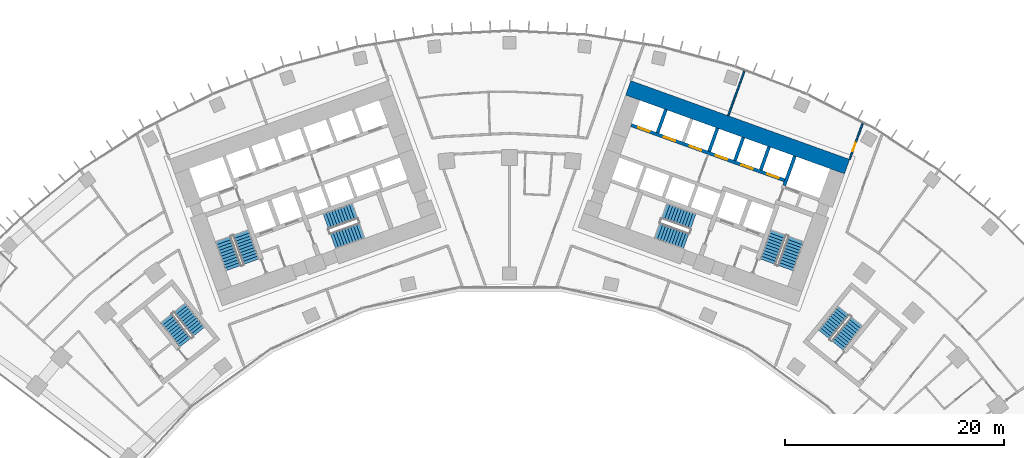
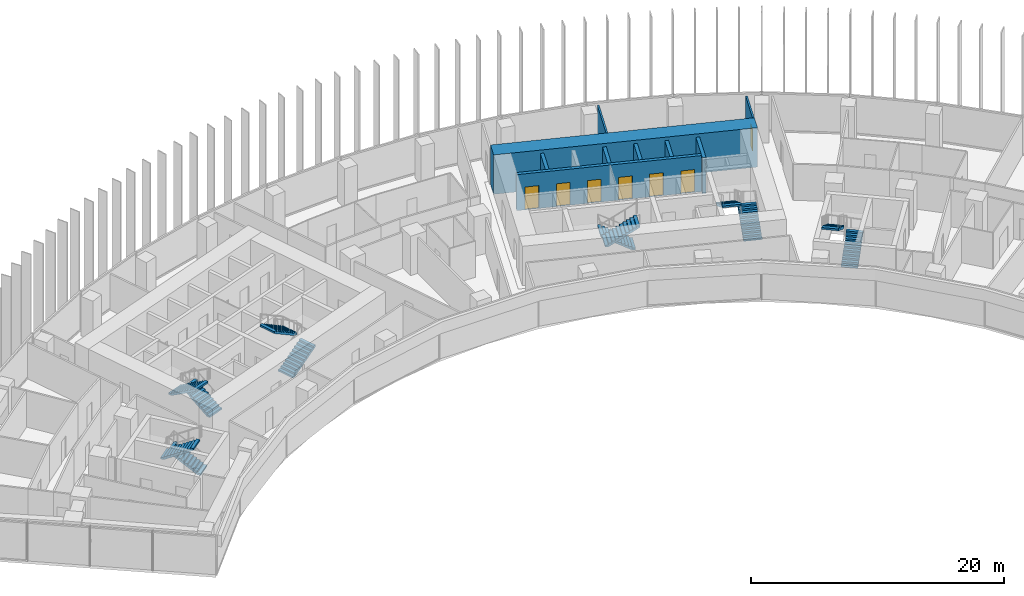
# One storey, part 21 of 23: 12 stair flights, 9 walls, 7 doors, 7 openings, 6 elements without a shape of their own.
"""IFC4 building model written with IfcOpenShell, lengths in metres."""

from ifc_helpers import new_model, si_unit, direction, frame, frame_2d, origin, place, context, subcontext, project, spatial, polyline, rectangle, outline, extrude, material, layer, layer_set, type_object, element, fill, aggregate, save


model = new_model("IFC4")

# Units and contexts
model_context = context("Model", 3, precision=1e-05, world=origin(), true_north=direction((0.0, 1.0)))
body_context = subcontext(model_context, "Body", "Model", "MODEL_VIEW")
ifc_project = project(units=[si_unit("LENGTHUNIT", "METRE"), si_unit("AREAUNIT", "SQUARE_METRE"), si_unit("VOLUMEUNIT", "CUBIC_METRE"), si_unit("PLANEANGLEUNIT", "RADIAN"), si_unit("MASSUNIT", "GRAM", prefix="KILO")], contexts=[model_context])

# Site, building, storey
site_placement = place(None, origin())
site = spatial("IfcSite", under=ifc_project, at=site_placement, CompositionType="ELEMENT")
building_placement = place(site_placement, origin())
building = spatial("IfcBuilding", under=site, at=building_placement, Name="Stone Belt Terrace Tower", CompositionType="ELEMENT")
storey_placement = place(building_placement, frame((0.0, 0.0, 98.39990234375)))
storey = spatial("IfcBuildingStorey", under=building, at=storey_placement, Name="L23", CompositionType="ELEMENT", Elevation=98.39990234375)

# Walls
ifc_material_1 = material(Name="Concrete B80", Category="concrete")
ifc_layer_1 = layer(ifc_material_1, 1.39990234375)
ifc_layer_set_1 = layer_set([ifc_layer_1], Name="Core wall 1400 B80")
wall_type_1 = type_object("IfcWallType", Name="Core wall 1400 B80", PredefinedType="SHEAR", material=ifc_layer_set_1)
wall_1_placement = place(storey_placement, frame((10.81787109375, 61.362060546875, 0.0), z_axis=(0.0, 0.0, 1.0), x_axis=(0.940919704758, -0.338629752382, 0.0)))
element("IfcWall", 1, at=wall_1_placement, inside=storey, type_object=wall_type_1, Name="Core B wall convex L23", PredefinedType="SHEAR", context=body_context, shape_type="SweptSolid", body=[
    extrude(rectangle(XDim=21.199951171875, YDim=1.39990234375, at=frame_2d((10.60009765625, 0.0))), origin(), (0.0, 0.0, 1.0), 3.800048828125),
])
ifc_layer_2 = layer(ifc_material_1, 0.300048828125)
ifc_layer_set_2 = layer_set([ifc_layer_2], Name="Lift shaft wall 300")
wall_type_2 = type_object("IfcWallType", Name="Lift shaft wall 300", PredefinedType="SHEAR", material=ifc_layer_set_2)
wall_2_placement = place(storey_placement, frame((25.046875, 52.46826171875, 0.0), z_axis=(0.0, 0.0, 1.0), x_axis=(0.338549588058, 0.940948551423, 0.0)))
element("IfcWall", 2, at=wall_2_placement, inside=storey, type_object=wall_type_2, Name="Core B wall", PredefinedType="SHEAR", context=body_context, shape_type="SweptSolid", body=[
    extrude(rectangle(XDim=2.849853515625, YDim=0.300048828125, at=frame_2d((1.4248046875, 0.0))), origin(), (0.0, 0.0, 1.0), 3.47998046875),
])

# Wall, openings, doors
wall_3_placement = place(storey_placement, frame((25.05810546875, 52.9423828125, 0.0), z_axis=(0.0, 0.0, 1.0), x_axis=(-0.940918215764, 0.338633889685, 0.0)))
wall_3 = element("IfcWall", 3, at=wall_3_placement, inside=storey, type_object=wall_type_2, Name="Core B wall", PredefinedType="SHEAR", context=body_context, shape_type="SweptSolid", body=[
    extrude(rectangle(XDim=14.850341796875, YDim=0.300048828125, at=frame_2d((7.42529296875, 0.0))), origin(), (0.0, 0.0, 1.0), 3.47998046875),
])
opening_1_placement = place(wall_3_placement, frame((0.570068359375, 0.0, 0.0)))
opening_1 = element("IfcOpeningElement", 4, at=opening_1_placement, cuts=wall_3, Name="Opening L23-LD10", PredefinedType="OPENING", context=body_context, shape_type="SweptSolid", body=[
    extrude(rectangle(XDim=1.10009765625, YDim=2.199951171875, at=frame_2d((0.550048828125, 1.10009765625))), frame((0.0, 0.159912109375, 0.0), z_axis=(0.0, -1.0, 0.0), x_axis=(1.0, 0.0, 0.0)), (0.0, 0.0, 1.0), 0.320068359375),
])
opening_2_placement = place(wall_3_placement, frame((3.070068359375, 0.0, 0.0)))
opening_2 = element("IfcOpeningElement", 5, at=opening_2_placement, cuts=wall_3, Name="Opening L23-LD11", PredefinedType="OPENING", context=body_context, shape_type="SweptSolid", body=[
    extrude(rectangle(XDim=1.10009765625, YDim=2.199951171875, at=frame_2d((0.550048828125, 1.10009765625))), frame((0.0, 0.159912109375, 0.0), z_axis=(0.0, -1.0, 0.0), x_axis=(1.0, 0.0, 0.0)), (0.0, 0.0, 1.0), 0.320068359375),
])
opening_3_placement = place(wall_3_placement, frame((5.570068359375, 0.0, 0.0)))
opening_3 = element("IfcOpeningElement", 6, at=opening_3_placement, cuts=wall_3, Name="Opening L23-LD12", PredefinedType="OPENING", context=body_context, shape_type="SweptSolid", body=[
    extrude(rectangle(XDim=1.10009765625, YDim=2.199951171875, at=frame_2d((0.550048828125, 1.10009765625))), frame((0.0, 0.159912109375, 0.0), z_axis=(0.0, -1.0, 0.0), x_axis=(1.0, 0.0, 0.0)), (0.0, 0.0, 1.0), 0.320068359375),
])
opening_4_placement = place(wall_3_placement, frame((8.070068359375, 0.0, 0.0)))
opening_4 = element("IfcOpeningElement", 7, at=opening_4_placement, cuts=wall_3, Name="Opening L23-LD13", PredefinedType="OPENING", context=body_context, shape_type="SweptSolid", body=[
    extrude(rectangle(XDim=1.10009765625, YDim=2.199951171875, at=frame_2d((0.550048828125, 1.10009765625))), frame((0.0, 0.159912109375, 0.0), z_axis=(0.0, -1.0, 0.0), x_axis=(1.0, 0.0, 0.0)), (0.0, 0.0, 1.0), 0.320068359375),
])
opening_5_placement = place(wall_3_placement, frame((10.570068359375, 0.0, 0.0)))
opening_5 = element("IfcOpeningElement", 8, at=opening_5_placement, cuts=wall_3, Name="Opening L23-LD14", PredefinedType="OPENING", context=body_context, shape_type="SweptSolid", body=[
    extrude(rectangle(XDim=1.10009765625, YDim=2.199951171875, at=frame_2d((0.550048828125, 1.10009765625))), frame((0.0, 0.159912109375, 0.0), z_axis=(0.0, -1.0, 0.0), x_axis=(1.0, 0.0, 0.0)), (0.0, 0.0, 1.0), 0.320068359375),
])
opening_6_placement = place(wall_3_placement, frame((13.070068359375, 0.0, 0.0)))
opening_6 = element("IfcOpeningElement", 9, at=opening_6_placement, cuts=wall_3, Name="Opening L23-LD15", PredefinedType="OPENING", context=body_context, shape_type="SweptSolid", body=[
    extrude(rectangle(XDim=1.10009765625, YDim=2.199951171875, at=frame_2d((0.550048828125, 1.10009765625))), frame((0.0, 0.159912109375, 0.0), z_axis=(0.0, -1.0, 0.0), x_axis=(1.0, 0.0, 0.0)), (0.0, 0.0, 1.0), 0.320068359375),
])
ifc_material_2 = material(Name="Stainless steel door leaf", Category="steel")
door_type_1 = type_object("IfcDoorType", Name="Landing door 1100", OperationType="SLIDING_TO_LEFT", PredefinedType="DOOR", material=ifc_material_2)
door_1_placement = place(opening_1_placement, origin())
door_1 = element("IfcDoor", 10, at=door_1_placement, inside=storey, type_object=door_type_1, Name="Landing door LR1 core B", OperationType="SLIDING_TO_LEFT", OverallHeight=2.199951171875, OverallWidth=1.10009765625, PredefinedType="DOOR", context=body_context, shape_type="SweptSolid", body=[
    extrude(rectangle(XDim=1.10009765625, YDim=2.199951171875, at=frame_2d((0.550048828125, 1.10009765625))), frame((0.0, 0.02490234375, 0.0), z_axis=(0.0, -1.0, 0.0), x_axis=(1.0, 0.0, 0.0)), (0.0, 0.0, 1.0), 0.050048828125),
])
fill(opening_1, door_1)
door_2_placement = place(opening_2_placement, origin())
door_2 = element("IfcDoor", 11, at=door_2_placement, inside=storey, type_object=door_type_1, Name="Landing door LR2 core B", OperationType="SLIDING_TO_LEFT", OverallHeight=2.199951171875, OverallWidth=1.10009765625, PredefinedType="DOOR", context=body_context, shape_type="SweptSolid", body=[
    extrude(rectangle(XDim=1.10009765625, YDim=2.199951171875, at=frame_2d((0.550048828125, 1.10009765625))), frame((0.0, 0.02490234375, 0.0), z_axis=(0.0, -1.0, 0.0), x_axis=(1.0, 0.0, 0.0)), (0.0, 0.0, 1.0), 0.050048828125),
])
fill(opening_2, door_2)
door_3_placement = place(opening_3_placement, origin())
door_3 = element("IfcDoor", 12, at=door_3_placement, inside=storey, type_object=door_type_1, Name="Landing door LR3 core B", OperationType="SLIDING_TO_LEFT", OverallHeight=2.199951171875, OverallWidth=1.10009765625, PredefinedType="DOOR", context=body_context, shape_type="SweptSolid", body=[
    extrude(rectangle(XDim=1.10009765625, YDim=2.199951171875, at=frame_2d((0.550048828125, 1.10009765625))), frame((0.0, 0.02490234375, 0.0), z_axis=(0.0, -1.0, 0.0), x_axis=(1.0, 0.0, 0.0)), (0.0, 0.0, 1.0), 0.050048828125),
])
fill(opening_3, door_3)
door_4_placement = place(opening_4_placement, origin())
door_4 = element("IfcDoor", 13, at=door_4_placement, inside=storey, type_object=door_type_1, Name="Landing door LR4 core B", OperationType="SLIDING_TO_LEFT", OverallHeight=2.199951171875, OverallWidth=1.10009765625, PredefinedType="DOOR", context=body_context, shape_type="SweptSolid", body=[
    extrude(rectangle(XDim=1.10009765625, YDim=2.199951171875, at=frame_2d((0.550048828125, 1.10009765625))), frame((0.0, 0.02490234375, 0.0), z_axis=(0.0, -1.0, 0.0), x_axis=(1.0, 0.0, 0.0)), (0.0, 0.0, 1.0), 0.050048828125),
])
fill(opening_4, door_4)
door_5_placement = place(opening_5_placement, origin())
door_5 = element("IfcDoor", 14, at=door_5_placement, inside=storey, type_object=door_type_1, Name="Landing door LR5 core B", OperationType="SLIDING_TO_LEFT", OverallHeight=2.199951171875, OverallWidth=1.10009765625, PredefinedType="DOOR", context=body_context, shape_type="SweptSolid", body=[
    extrude(rectangle(XDim=1.10009765625, YDim=2.199951171875, at=frame_2d((0.550048828125, 1.10009765625))), frame((0.0, 0.02490234375, 0.0), z_axis=(0.0, -1.0, 0.0), x_axis=(1.0, 0.0, 0.0)), (0.0, 0.0, 1.0), 0.050048828125),
])
fill(opening_5, door_5)
door_6_placement = place(opening_6_placement, origin())
door_6 = element("IfcDoor", 15, at=door_6_placement, inside=storey, type_object=door_type_1, Name="Landing door LR6 core B", OperationType="SLIDING_TO_LEFT", OverallHeight=2.199951171875, OverallWidth=1.10009765625, PredefinedType="DOOR", context=body_context, shape_type="SweptSolid", body=[
    extrude(rectangle(XDim=1.10009765625, YDim=2.199951171875, at=frame_2d((0.550048828125, 1.10009765625))), frame((0.0, 0.02490234375, 0.0), z_axis=(0.0, -1.0, 0.0), x_axis=(1.0, 0.0, 0.0)), (0.0, 0.0, 1.0), 0.050048828125),
])
fill(opening_6, door_6)

# Walls
wall_4_placement = place(storey_placement, frame((22.897705078125, 53.87939453125, 0.0), z_axis=(0.0, 0.0, 1.0), x_axis=(0.338535034312, 0.940953787677, 0.0)))
element("IfcWall", 16, at=wall_4_placement, inside=storey, type_object=wall_type_2, Name="Core B wall", PredefinedType="SHEAR", context=body_context, shape_type="SweptSolid", body=[
    extrude(rectangle(XDim=2.25, YDim=0.300048828125, at=frame_2d((1.125, 0.0))), origin(), (0.0, 0.0, 1.0), 3.47998046875),
])
wall_5_placement = place(storey_placement, frame((20.54541015625, 54.72607421875, 0.0), z_axis=(0.0, 0.0, 1.0), x_axis=(0.338569601369, 0.940941350472, 0.0)))
element("IfcWall", 17, at=wall_5_placement, inside=storey, type_object=wall_type_2, Name="Core B wall", PredefinedType="SHEAR", context=body_context, shape_type="SweptSolid", body=[
    extrude(rectangle(XDim=2.249755859375, YDim=0.300048828125, at=frame_2d((1.125, 0.0))), origin(), (0.0, 0.0, 1.0), 3.47998046875),
])
wall_6_placement = place(storey_placement, frame((18.193115234375, 55.572509765625, 0.0), z_axis=(0.0, 0.0, 1.0), x_axis=(0.338535034312, 0.940953787677, 0.0)))
element("IfcWall", 18, at=wall_6_placement, inside=storey, type_object=wall_type_2, Name="Core B wall", PredefinedType="SHEAR", context=body_context, shape_type="SweptSolid", body=[
    extrude(rectangle(XDim=2.25, YDim=0.300048828125, at=frame_2d((1.125, 0.0))), origin(), (0.0, 0.0, 1.0), 3.47998046875),
])
wall_7_placement = place(storey_placement, frame((13.48828125, 57.265625, 0.0), z_axis=(0.0, 0.0, 1.0), x_axis=(0.338631098537, 0.940919220286, 0.0)))
element("IfcWall", 19, at=wall_7_placement, inside=storey, type_object=wall_type_2, Name="Core B wall", PredefinedType="SHEAR", context=body_context, shape_type="SweptSolid", body=[
    extrude(rectangle(XDim=2.250244140625, YDim=0.300048828125, at=frame_2d((1.125, 0.0))), origin(), (0.0, 0.0, 1.0), 3.47998046875),
])

# Wall, opening, door
ifc_material_3 = material(Name="Gypsum board partition")
ifc_layer_3 = layer(ifc_material_3, 0.14990234375)
ifc_layer_set_3 = layer_set([ifc_layer_3], Name="PARTITION 150 EI 60")
wall_type_3 = type_object("IfcWallType", Name="PARTITION 150 EI 60", PredefinedType="PARTITIONING", material=ifc_layer_set_3)
wall_8_placement = place(storey_placement, frame((31.001953125, 54.842041015625, 0.0), z_axis=(0.0, 0.0, 1.0), x_axis=(0.338573586736, 0.940939916448, 0.0)))
wall_8 = element("IfcWall", 20, at=wall_8_placement, inside=storey, type_object=wall_type_3, Name="L23/wall/i021", PredefinedType="PARTITIONING", context=body_context, shape_type="SweptSolid", body=[
    extrude(rectangle(XDim=3.49658203125, YDim=0.14990234375, at=frame_2d((1.748291015625, 0.0))), origin(), (0.0, 0.0, 1.0), 3.47998046875),
])
opening_7_placement = place(wall_8_placement, frame((0.82421875, 0.0, 0.0)))
opening_7 = element("IfcOpeningElement", 21, at=opening_7_placement, cuts=wall_8, Name="Opening D-B2-08", PredefinedType="OPENING", context=body_context, shape_type="SweptSolid", body=[
    extrude(rectangle(XDim=0.800048828125, YDim=2.10009765625, at=frame_2d((0.39990234375, 1.050048828125))), frame((0.0, 0.0849609375, 0.0), z_axis=(0.0, -1.0, 0.0), x_axis=(1.0, 0.0, 0.0)), (0.0, 0.0, 1.0), 0.169921875),
])
ifc_material_4 = material(Name="Timber door leaf", Category="wood")
door_type_2 = type_object("IfcDoorType", Name="STORE DOOR 800 X 2100", OperationType="NOTDEFINED", PredefinedType="DOOR", material=ifc_material_4)
door_7_placement = place(opening_7_placement, origin())
door_7 = element("IfcDoor", 22, at=door_7_placement, inside=storey, type_object=door_type_2, Name="L23/door/i08", OperationType="SINGLE_SWING_LEFT", OverallHeight=2.10009765625, OverallWidth=0.800048828125, PredefinedType="DOOR", context=body_context, shape_type="SweptSolid", body=[
    extrude(rectangle(XDim=0.800048828125, YDim=2.10009765625, at=frame_2d((0.39990234375, 1.050048828125))), frame((0.0, 0.02490234375, 0.0), z_axis=(0.0, -1.0, 0.0), x_axis=(1.0, 0.0, 0.0)), (0.0, 0.0, 1.0), 0.050048828125),
])
fill(opening_7, door_7)

# Wall
wall_9_placement = place(storey_placement, frame((21.40576171875, 62.916015625, 0.0), z_axis=(0.0, 0.0, 1.0), x_axis=(-0.338494764103, -0.940968275063, 0.0)))
element("IfcWall", 23, at=wall_9_placement, inside=storey, type_object=wall_type_3, Name="L23/wall/i026", PredefinedType="PARTITIONING", context=body_context, shape_type="SweptSolid", body=[
    extrude(rectangle(XDim=4.34765625, YDim=0.14990234375, at=frame_2d((2.173828125, 0.0))), origin(), (0.0, 0.0, 1.0), 3.47998046875),
])

# Stair, stair flights
ifc_material_5 = material(Name="Concrete B40", Category="concrete")
stair_type = type_object("IfcStairType", Name="Exit stair 1500", PredefinedType="HALF_TURN_STAIR", material=ifc_material_5)
stair_1_placement = place(storey_placement, origin())
stair_1 = element("IfcStair", 24, at=stair_1_placement, inside=storey, type_object=stair_type, Name="L23 Exit stair 1 core A", PredefinedType="HALF_TURN_STAIR")
stair_flight_type = type_object("IfcStairFlightType", Name="Stair flight 1500", PredefinedType="STRAIGHT", material=ifc_material_5)
stair_flight_1_placement = place(storey_placement, frame((-23.55322265625, 45.51318359375, 0.0), z_axis=(0.0, 0.0, 1.0), x_axis=(-0.338624396177, 0.940921632398, 0.0)))
stair_flight_1 = element("IfcStairFlight", 25, at=stair_flight_1_placement, type_object=stair_flight_type, Name="ST1A flight 1", NumberOfRisers=11, NumberOfTreads=10, PredefinedType="STRAIGHT", RiserHeight=0.172727273, TreadLength=0.28, context=body_context, shape_type="SweptSolid", body=[
    extrude(outline(polyline([(0.0, 0.0), (0.0, 0.172607421875), (0.280029296875, 0.172607421875), (0.280029296875, 0.345458984375), (0.56005859375, 0.345458984375), (0.56005859375, 0.51806640625), (0.840087890625, 0.51806640625), (0.840087890625, 0.69091796875), (1.1201171875, 0.69091796875), (1.1201171875, 0.863525390625), (1.39990234375, 0.863525390625), (1.39990234375, 1.036376953125), (1.679931640625, 1.036376953125), (1.679931640625, 1.208984375), (1.9599609375, 1.208984375), (1.9599609375, 1.3818359375), (2.239990234375, 1.3818359375), (2.239990234375, 1.554443359375), (2.52001953125, 1.554443359375), (2.52001953125, 1.727294921875), (2.800048828125, 1.727294921875), (2.800048828125, 1.89990234375), (2.800048828125, 1.551025390625), (0.285400390625, 0.0), (0.0, 0.0)])), frame((0.0, 0.75, 0.0), z_axis=(0.0, -1.0, 0.0), x_axis=(1.0, 0.0, 0.0)), (0.0, 0.0, 1.0), 1.5),
])
stair_flight_2_placement = place(storey_placement, frame((-26.10107421875, 47.572021484375, 1.900146484375), z_axis=(0.0, 0.0, 1.0), x_axis=(0.338624396177, -0.940921632398, 0.0)))
stair_flight_2 = element("IfcStairFlight", 26, at=stair_flight_2_placement, type_object=stair_flight_type, Name="ST1A flight 2", NumberOfRisers=11, NumberOfTreads=10, PredefinedType="STRAIGHT", RiserHeight=0.172727273, TreadLength=0.28, context=body_context, shape_type="SweptSolid", body=[
    extrude(outline(polyline([(0.0, 0.0), (0.0, 0.172607421875), (0.280029296875, 0.172607421875), (0.280029296875, 0.345458984375), (0.56005859375, 0.345458984375), (0.56005859375, 0.51806640625), (0.840087890625, 0.51806640625), (0.840087890625, 0.69091796875), (1.1201171875, 0.69091796875), (1.1201171875, 0.863525390625), (1.39990234375, 0.863525390625), (1.39990234375, 1.036376953125), (1.679931640625, 1.036376953125), (1.679931640625, 1.208984375), (1.9599609375, 1.208984375), (1.9599609375, 1.3818359375), (2.239990234375, 1.3818359375), (2.239990234375, 1.554443359375), (2.52001953125, 1.554443359375), (2.52001953125, 1.727294921875), (2.800048828125, 1.727294921875), (2.800048828125, 1.89990234375), (2.800048828125, 1.551025390625), (0.285400390625, 0.0), (0.0, 0.0)])), frame((0.0, 0.75, 0.0), z_axis=(0.0, -1.0, 0.0), x_axis=(1.0, 0.0, 0.0)), (0.0, 0.0, 1.0), 1.5),
])
aggregate(stair_1, [stair_flight_1, stair_flight_2])

stair_2_placement = place(storey_placement, origin())
stair_2 = element("IfcStair", 27, at=stair_2_placement, inside=storey, type_object=stair_type, Name="L23 Exit stair 2 core A", PredefinedType="HALF_TURN_STAIR")
stair_flight_3_placement = place(storey_placement, frame((-16.101318359375, 47.39794921875, 0.0), z_axis=(0.0, 0.0, 1.0), x_axis=(0.940921632398, 0.338624396177, 0.0)))
stair_flight_3 = element("IfcStairFlight", 28, at=stair_flight_3_placement, type_object=stair_flight_type, Name="ST2A flight 1", NumberOfRisers=11, NumberOfTreads=10, PredefinedType="STRAIGHT", RiserHeight=0.172727273, TreadLength=0.28, context=body_context, shape_type="SweptSolid", body=[
    extrude(outline(polyline([(0.0, 0.0), (0.0, 0.172607421875), (0.280029296875, 0.172607421875), (0.280029296875, 0.345458984375), (0.56005859375, 0.345458984375), (0.56005859375, 0.51806640625), (0.840087890625, 0.51806640625), (0.840087890625, 0.69091796875), (1.1201171875, 0.69091796875), (1.1201171875, 0.863525390625), (1.39990234375, 0.863525390625), (1.39990234375, 1.036376953125), (1.679931640625, 1.036376953125), (1.679931640625, 1.208984375), (1.9599609375, 1.208984375), (1.9599609375, 1.3818359375), (2.239990234375, 1.3818359375), (2.239990234375, 1.554443359375), (2.52001953125, 1.554443359375), (2.52001953125, 1.727294921875), (2.800048828125, 1.727294921875), (2.800048828125, 1.89990234375), (2.800048828125, 1.551025390625), (0.285400390625, 0.0), (0.0, 0.0)])), frame((0.0, 0.75, 0.0), z_axis=(0.0, -1.0, 0.0), x_axis=(1.0, 0.0, 0.0)), (0.0, 0.0, 1.0), 1.5),
])
stair_flight_4_placement = place(storey_placement, frame((-14.110107421875, 50.1337890625, 1.900146484375), z_axis=(0.0, 0.0, 1.0), x_axis=(-0.940921632398, -0.338624396177, 0.0)))
stair_flight_4 = element("IfcStairFlight", 29, at=stair_flight_4_placement, type_object=stair_flight_type, Name="ST2A flight 2", NumberOfRisers=11, NumberOfTreads=10, PredefinedType="STRAIGHT", RiserHeight=0.172727273, TreadLength=0.28, context=body_context, shape_type="SweptSolid", body=[
    extrude(outline(polyline([(0.0, 0.0), (0.0, 0.172607421875), (0.280029296875, 0.172607421875), (0.280029296875, 0.345458984375), (0.56005859375, 0.345458984375), (0.56005859375, 0.51806640625), (0.840087890625, 0.51806640625), (0.840087890625, 0.69091796875), (1.1201171875, 0.69091796875), (1.1201171875, 0.863525390625), (1.39990234375, 0.863525390625), (1.39990234375, 1.036376953125), (1.679931640625, 1.036376953125), (1.679931640625, 1.208984375), (1.9599609375, 1.208984375), (1.9599609375, 1.3818359375), (2.239990234375, 1.3818359375), (2.239990234375, 1.554443359375), (2.52001953125, 1.554443359375), (2.52001953125, 1.727294921875), (2.800048828125, 1.727294921875), (2.800048828125, 1.89990234375), (2.800048828125, 1.551025390625), (0.285400390625, 0.0), (0.0, 0.0)])), frame((0.0, 0.75, 0.0), z_axis=(0.0, -1.0, 0.0), x_axis=(1.0, 0.0, 0.0)), (0.0, 0.0, 1.0), 1.5),
])
aggregate(stair_2, [stair_flight_3, stair_flight_4])

stair_3_placement = place(storey_placement, origin())
stair_3 = element("IfcStair", 30, at=stair_3_placement, inside=storey, type_object=stair_type, Name="L23 Exit stair 1 core B", PredefinedType="HALF_TURN_STAIR")
stair_flight_5_placement = place(storey_placement, frame((25.15283203125, 44.9375, 0.0), z_axis=(0.0, 0.0, 1.0), x_axis=(0.338624396177, 0.940921632398, 0.0)))
stair_flight_5 = element("IfcStairFlight", 31, at=stair_flight_5_placement, type_object=stair_flight_type, Name="ST1B flight 1", NumberOfRisers=11, NumberOfTreads=10, PredefinedType="STRAIGHT", RiserHeight=0.172727273, TreadLength=0.28, context=body_context, shape_type="SweptSolid", body=[
    extrude(outline(polyline([(0.0, 0.0), (0.0, 0.172607421875), (0.280029296875, 0.172607421875), (0.280029296875, 0.345458984375), (0.56005859375, 0.345458984375), (0.56005859375, 0.51806640625), (0.840087890625, 0.51806640625), (0.840087890625, 0.69091796875), (1.1201171875, 0.69091796875), (1.1201171875, 0.863525390625), (1.39990234375, 0.863525390625), (1.39990234375, 1.036376953125), (1.679931640625, 1.036376953125), (1.679931640625, 1.208984375), (1.9599609375, 1.208984375), (1.9599609375, 1.3818359375), (2.239990234375, 1.3818359375), (2.239990234375, 1.554443359375), (2.52001953125, 1.554443359375), (2.52001953125, 1.727294921875), (2.800048828125, 1.727294921875), (2.800048828125, 1.89990234375), (2.800048828125, 1.551025390625), (0.285400390625, 0.0), (0.0, 0.0)])), frame((0.0, 0.75, 0.0), z_axis=(0.0, -1.0, 0.0), x_axis=(1.0, 0.0, 0.0)), (0.0, 0.0, 1.0), 1.5),
])
stair_flight_6_placement = place(storey_placement, frame((24.50146484375, 48.147705078125, 1.900146484375), z_axis=(0.0, 0.0, 1.0), x_axis=(-0.338624396177, -0.940921632398, 0.0)))
stair_flight_6 = element("IfcStairFlight", 32, at=stair_flight_6_placement, type_object=stair_flight_type, Name="ST1B flight 2", NumberOfRisers=11, NumberOfTreads=10, PredefinedType="STRAIGHT", RiserHeight=0.172727273, TreadLength=0.28, context=body_context, shape_type="SweptSolid", body=[
    extrude(outline(polyline([(0.0, 0.0), (0.0, 0.172607421875), (0.280029296875, 0.172607421875), (0.280029296875, 0.345458984375), (0.56005859375, 0.345458984375), (0.56005859375, 0.51806640625), (0.840087890625, 0.51806640625), (0.840087890625, 0.69091796875), (1.1201171875, 0.69091796875), (1.1201171875, 0.863525390625), (1.39990234375, 0.863525390625), (1.39990234375, 1.036376953125), (1.679931640625, 1.036376953125), (1.679931640625, 1.208984375), (1.9599609375, 1.208984375), (1.9599609375, 1.3818359375), (2.239990234375, 1.3818359375), (2.239990234375, 1.554443359375), (2.52001953125, 1.554443359375), (2.52001953125, 1.727294921875), (2.800048828125, 1.727294921875), (2.800048828125, 1.89990234375), (2.800048828125, 1.551025390625), (0.285400390625, 0.0), (0.0, 0.0)])), frame((0.0, 0.75, 0.0), z_axis=(0.0, -1.0, 0.0), x_axis=(1.0, 0.0, 0.0)), (0.0, 0.0, 1.0), 1.5),
])
aggregate(stair_3, [stair_flight_5, stair_flight_6])

stair_4_placement = place(storey_placement, origin())
stair_4 = element("IfcStair", 33, at=stair_4_placement, inside=storey, type_object=stair_type, Name="L23 Exit stair 2 core B", PredefinedType="HALF_TURN_STAIR")
stair_flight_7_placement = place(storey_placement, frame((16.74462890625, 49.185546875, 0.0), z_axis=(0.0, 0.0, 1.0), x_axis=(-0.940921632398, 0.338624396177, 0.0)))
stair_flight_7 = element("IfcStairFlight", 34, at=stair_flight_7_placement, type_object=stair_flight_type, Name="ST2B flight 1", NumberOfRisers=11, NumberOfTreads=10, PredefinedType="STRAIGHT", RiserHeight=0.172727273, TreadLength=0.28, context=body_context, shape_type="SweptSolid", body=[
    extrude(outline(polyline([(0.0, 0.0), (0.0, 0.172607421875), (0.280029296875, 0.172607421875), (0.280029296875, 0.345458984375), (0.56005859375, 0.345458984375), (0.56005859375, 0.51806640625), (0.840087890625, 0.51806640625), (0.840087890625, 0.69091796875), (1.1201171875, 0.69091796875), (1.1201171875, 0.863525390625), (1.39990234375, 0.863525390625), (1.39990234375, 1.036376953125), (1.679931640625, 1.036376953125), (1.679931640625, 1.208984375), (1.9599609375, 1.208984375), (1.9599609375, 1.3818359375), (2.239990234375, 1.3818359375), (2.239990234375, 1.554443359375), (2.52001953125, 1.554443359375), (2.52001953125, 1.727294921875), (2.800048828125, 1.727294921875), (2.800048828125, 1.89990234375), (2.800048828125, 1.551025390625), (0.285400390625, 0.0), (0.0, 0.0)])), frame((0.0, 0.75, 0.0), z_axis=(0.0, -1.0, 0.0), x_axis=(1.0, 0.0, 0.0)), (0.0, 0.0, 1.0), 1.5),
])
stair_flight_8_placement = place(storey_placement, frame((13.466796875, 48.345947265625, 1.900146484375), z_axis=(0.0, 0.0, 1.0), x_axis=(0.940921632398, -0.338624396177, 0.0)))
stair_flight_8 = element("IfcStairFlight", 35, at=stair_flight_8_placement, type_object=stair_flight_type, Name="ST2B flight 2", NumberOfRisers=11, NumberOfTreads=10, PredefinedType="STRAIGHT", RiserHeight=0.172727273, TreadLength=0.28, context=body_context, shape_type="SweptSolid", body=[
    extrude(outline(polyline([(0.0, 0.0), (0.0, 0.172607421875), (0.280029296875, 0.172607421875), (0.280029296875, 0.345458984375), (0.56005859375, 0.345458984375), (0.56005859375, 0.51806640625), (0.840087890625, 0.51806640625), (0.840087890625, 0.69091796875), (1.1201171875, 0.69091796875), (1.1201171875, 0.863525390625), (1.39990234375, 0.863525390625), (1.39990234375, 1.036376953125), (1.679931640625, 1.036376953125), (1.679931640625, 1.208984375), (1.9599609375, 1.208984375), (1.9599609375, 1.3818359375), (2.239990234375, 1.3818359375), (2.239990234375, 1.554443359375), (2.52001953125, 1.554443359375), (2.52001953125, 1.727294921875), (2.800048828125, 1.727294921875), (2.800048828125, 1.89990234375), (2.800048828125, 1.551025390625), (0.285400390625, 0.0), (0.0, 0.0)])), frame((0.0, 0.75, 0.0), z_axis=(0.0, -1.0, 0.0), x_axis=(1.0, 0.0, 0.0)), (0.0, 0.0, 1.0), 1.5),
])
aggregate(stair_4, [stair_flight_7, stair_flight_8])

stair_5_placement = place(storey_placement, origin())
stair_5 = element("IfcStair", 36, at=stair_5_placement, inside=storey, type_object=stair_type, Name="L23 Exit stair 3A", PredefinedType="HALF_TURN_STAIR")
stair_flight_9_placement = place(storey_placement, frame((-28.325439453125, 39.1240234375, 0.0), z_axis=(0.0, 0.0, 1.0), x_axis=(-0.623121363691, 0.782125160132, 0.0)))
stair_flight_9 = element("IfcStairFlight", 37, at=stair_flight_9_placement, type_object=stair_flight_type, Name="ST3A flight 1", NumberOfRisers=11, NumberOfTreads=10, PredefinedType="STRAIGHT", RiserHeight=0.172727273, TreadLength=0.28, context=body_context, shape_type="SweptSolid", body=[
    extrude(outline(polyline([(0.0, 0.0), (0.0, 0.172607421875), (0.280029296875, 0.172607421875), (0.280029296875, 0.345458984375), (0.56005859375, 0.345458984375), (0.56005859375, 0.51806640625), (0.840087890625, 0.51806640625), (0.840087890625, 0.69091796875), (1.1201171875, 0.69091796875), (1.1201171875, 0.863525390625), (1.39990234375, 0.863525390625), (1.39990234375, 1.036376953125), (1.679931640625, 1.036376953125), (1.679931640625, 1.208984375), (1.9599609375, 1.208984375), (1.9599609375, 1.3818359375), (2.239990234375, 1.3818359375), (2.239990234375, 1.554443359375), (2.52001953125, 1.554443359375), (2.52001953125, 1.727294921875), (2.800048828125, 1.727294921875), (2.800048828125, 1.89990234375), (2.800048828125, 1.551025390625), (0.285400390625, 0.0), (0.0, 0.0)])), frame((0.0, 0.675048828125, 0.0), z_axis=(0.0, -1.0, 0.0), x_axis=(1.0, 0.0, 0.0)), (0.0, 0.0, 1.0), 1.35009765625),
])
stair_flight_10_placement = place(storey_placement, frame((-31.282470703125, 40.34814453125, 1.900146484375), z_axis=(0.0, 0.0, 1.0), x_axis=(0.623121363691, -0.782125160132, 0.0)))
stair_flight_10 = element("IfcStairFlight", 38, at=stair_flight_10_placement, type_object=stair_flight_type, Name="ST3A flight 2", NumberOfRisers=11, NumberOfTreads=10, PredefinedType="STRAIGHT", RiserHeight=0.172727273, TreadLength=0.28, context=body_context, shape_type="SweptSolid", body=[
    extrude(outline(polyline([(0.0, 0.0), (0.0, 0.172607421875), (0.280029296875, 0.172607421875), (0.280029296875, 0.345458984375), (0.56005859375, 0.345458984375), (0.56005859375, 0.51806640625), (0.840087890625, 0.51806640625), (0.840087890625, 0.69091796875), (1.1201171875, 0.69091796875), (1.1201171875, 0.863525390625), (1.39990234375, 0.863525390625), (1.39990234375, 1.036376953125), (1.679931640625, 1.036376953125), (1.679931640625, 1.208984375), (1.9599609375, 1.208984375), (1.9599609375, 1.3818359375), (2.239990234375, 1.3818359375), (2.239990234375, 1.554443359375), (2.52001953125, 1.554443359375), (2.52001953125, 1.727294921875), (2.800048828125, 1.727294921875), (2.800048828125, 1.89990234375), (2.800048828125, 1.551025390625), (0.285400390625, 0.0), (0.0, 0.0)])), frame((0.0, 0.675048828125, 0.0), z_axis=(0.0, -1.0, 0.0), x_axis=(1.0, 0.0, 0.0)), (0.0, 0.0, 1.0), 1.35009765625),
])
aggregate(stair_5, [stair_flight_9, stair_flight_10])

stair_6_placement = place(storey_placement, origin())
stair_6 = element("IfcStair", 39, at=stair_6_placement, inside=storey, type_object=stair_type, Name="L23 Exit stair 3B", PredefinedType="HALF_TURN_STAIR")
stair_flight_11_placement = place(storey_placement, frame((29.88330078125, 37.887939453125, 0.0), z_axis=(0.0, 0.0, 1.0), x_axis=(0.630205749599, 0.776428176441, 0.0)))
stair_flight_11 = element("IfcStairFlight", 40, at=stair_flight_11_placement, type_object=stair_flight_type, Name="ST3B flight 1", NumberOfRisers=11, NumberOfTreads=10, PredefinedType="STRAIGHT", RiserHeight=0.172727273, TreadLength=0.28, context=body_context, shape_type="SweptSolid", body=[
    extrude(outline(polyline([(0.0, 0.0), (0.0, 0.172607421875), (0.280029296875, 0.172607421875), (0.280029296875, 0.345458984375), (0.56005859375, 0.345458984375), (0.56005859375, 0.51806640625), (0.840087890625, 0.51806640625), (0.840087890625, 0.69091796875), (1.1201171875, 0.69091796875), (1.1201171875, 0.863525390625), (1.39990234375, 0.863525390625), (1.39990234375, 1.036376953125), (1.679931640625, 1.036376953125), (1.679931640625, 1.208984375), (1.9599609375, 1.208984375), (1.9599609375, 1.3818359375), (2.239990234375, 1.3818359375), (2.239990234375, 1.554443359375), (2.52001953125, 1.554443359375), (2.52001953125, 1.727294921875), (2.800048828125, 1.727294921875), (2.800048828125, 1.89990234375), (2.800048828125, 1.551025390625), (0.285400390625, 0.0), (0.0, 0.0)])), frame((0.0, 0.675048828125, 0.0), z_axis=(0.0, -1.0, 0.0), x_axis=(1.0, 0.0, 0.0)), (0.0, 0.0, 1.0), 1.35009765625),
])
stair_flight_12_placement = place(storey_placement, frame((30.4443359375, 41.038818359375, 1.900146484375), z_axis=(0.0, 0.0, 1.0), x_axis=(-0.630205749599, -0.776428176441, 0.0)))
stair_flight_12 = element("IfcStairFlight", 41, at=stair_flight_12_placement, type_object=stair_flight_type, Name="ST3B flight 2", NumberOfRisers=11, NumberOfTreads=10, PredefinedType="STRAIGHT", RiserHeight=0.172727273, TreadLength=0.28, context=body_context, shape_type="SweptSolid", body=[
    extrude(outline(polyline([(0.0, 0.0), (0.0, 0.172607421875), (0.280029296875, 0.172607421875), (0.280029296875, 0.345458984375), (0.56005859375, 0.345458984375), (0.56005859375, 0.51806640625), (0.840087890625, 0.51806640625), (0.840087890625, 0.69091796875), (1.1201171875, 0.69091796875), (1.1201171875, 0.863525390625), (1.39990234375, 0.863525390625), (1.39990234375, 1.036376953125), (1.679931640625, 1.036376953125), (1.679931640625, 1.208984375), (1.9599609375, 1.208984375), (1.9599609375, 1.3818359375), (2.239990234375, 1.3818359375), (2.239990234375, 1.554443359375), (2.52001953125, 1.554443359375), (2.52001953125, 1.727294921875), (2.800048828125, 1.727294921875), (2.800048828125, 1.89990234375), (2.800048828125, 1.551025390625), (0.285400390625, 0.0), (0.0, 0.0)])), frame((0.0, 0.675048828125, 0.0), z_axis=(0.0, -1.0, 0.0), x_axis=(1.0, 0.0, 0.0)), (0.0, 0.0, 1.0), 1.35009765625),
])
aggregate(stair_6, [stair_flight_11, stair_flight_12])

save(model, "model.ifc")
